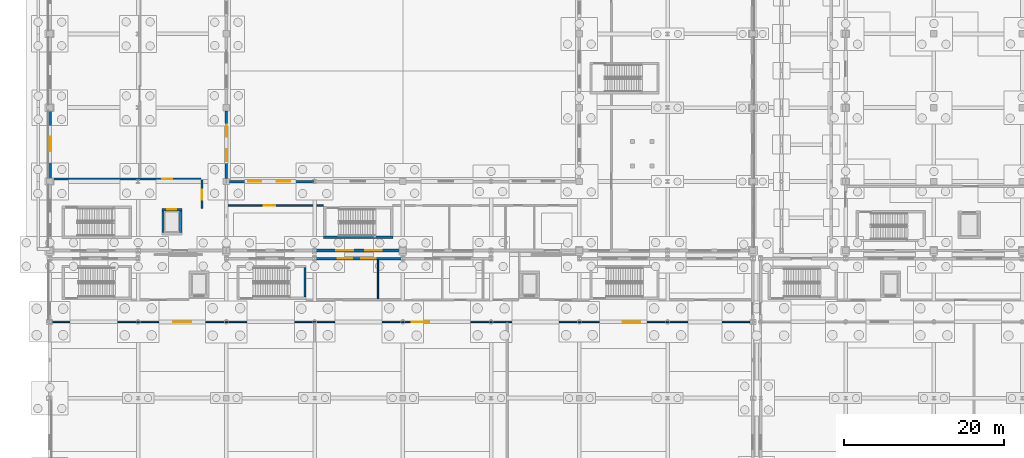
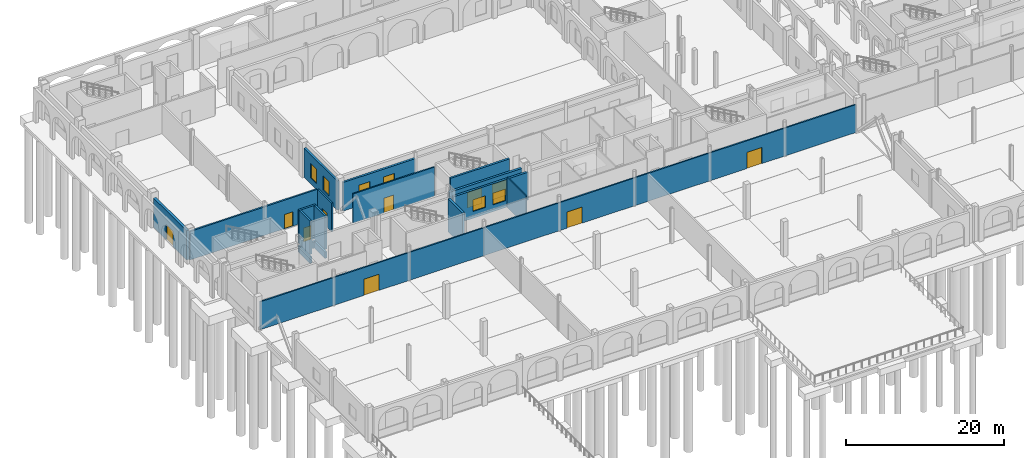
# One storey, part 54 of 83: 18 walls, 8 doors, 8 windows, 16 openings.
"""IFC4 building model written with IfcOpenShell, lengths in metres."""

from ifc_helpers import new_model, si_unit, direction, frame, frame_2d, origin, place, context, subcontext, project, spatial, rectangle, extrude, material, layer, layer_set, type_object, element, fill, save


model = new_model("IFC4")

# Units and contexts
model_context = context("Model", 3, precision=1e-05, world=origin(), true_north=direction((0.0, 1.0)))
body_context = subcontext(model_context, "Body", "Model", "MODEL_VIEW")
ifc_project = project(units=[si_unit("LENGTHUNIT", "METRE"), si_unit("AREAUNIT", "SQUARE_METRE"), si_unit("VOLUMEUNIT", "CUBIC_METRE"), si_unit("PLANEANGLEUNIT", "RADIAN"), si_unit("MASSUNIT", "GRAM", prefix="KILO")], contexts=[model_context])

# Site, building, storey
site_placement = place(None, origin())
site = spatial("IfcSite", under=ifc_project, at=site_placement, CompositionType="ELEMENT")
building_placement = place(site_placement, origin())
building = spatial("IfcBuilding", under=site, at=building_placement, Name="Caurita Quay Ferry Terminal", CompositionType="ELEMENT")
storey_placement = place(building_placement, origin())
storey = spatial("IfcBuildingStorey", under=building, at=storey_placement, Name="L00", CompositionType="ELEMENT", Elevation=0.0)

# Wall, opening, door
ifc_material_1 = material(Name="Warm-white lime stucco masonry", Category="masonry")
ifc_layer_1 = layer(ifc_material_1, 0.239990234375, Name="Interior partitioning wall 240 mm")
ifc_layer_set_1 = layer_set([ifc_layer_1], Name="Warm-white lime stucco masonry")
wall_type_1 = type_object("IfcWallType", Name="WL-COMP-240", PredefinedType="PARTITIONING", material=ifc_layer_set_1)
wall_1_placement = place(storey_placement, frame((0.195068359375, 80.5, 0.0), z_axis=(0.0, 0.0, 1.0), x_axis=(1.0, 0.0, 0.0)))
wall_1 = element("IfcWall", 1, at=wall_1_placement, inside=storey, type_object=wall_type_1, Name="L00 Interior Partition IW-L00-023", PredefinedType="PARTITIONING", context=body_context, shape_type="SweptSolid", body=[
    extrude(rectangle(XDim=18.6298828125, YDim=0.239990234375, at=frame_2d((9.31494140625, 0.0))), origin(), (0.0, 0.0, 1.0), 4.425048828125),
])
opening_1_placement = place(wall_1_placement, frame((13.804931640625, 0.0, 0.0)))
opening_1 = element("IfcOpeningElement", 2, at=opening_1_placement, cuts=wall_1, Name="Opening FD-01", PredefinedType="OPENING", context=body_context, shape_type="SweptSolid", body=[
    extrude(rectangle(XDim=1.25, YDim=2.199951171875, at=frame_2d((0.625, 1.10009765625))), frame((0.0, 0.1298828125, 0.0), z_axis=(0.0, -1.0, 0.0), x_axis=(1.0, 0.0, 0.0)), (0.0, 0.0, 1.0), 0.260009765625),
])
ifc_material_2 = material(Name="Anodized aluminium 6063-T6", Category="aluminium")
door_type_1 = type_object("IfcDoorType", Name="DR-FF-1100", OperationType="NOTDEFINED", PredefinedType="DOOR", material=ifc_material_2)
door_1_placement = place(opening_1_placement, origin())
door_1 = element("IfcDoor", 3, at=door_1_placement, inside=storey, type_object=door_type_1, Name="Firefighting Lobby L00 South Door", OperationType="SINGLE_SWING_LEFT", OverallHeight=2.199951171875, OverallWidth=1.25, PredefinedType="DOOR", context=body_context, shape_type="SweptSolid", body=[
    extrude(rectangle(XDim=1.25, YDim=2.199951171875, at=frame_2d((0.625, 1.10009765625))), frame((0.0, 0.02490234375, 0.0), z_axis=(0.0, -1.0, 0.0), x_axis=(1.0, 0.0, 0.0)), (0.0, 0.0, 1.0), 0.050048828125),
])
fill(opening_1, door_1)

wall_2_placement = place(storey_placement, frame((18.949951171875, 76.85009765625, 0.0), z_axis=(0.0, 0.0, 1.0), x_axis=(0.0, 1.0, 0.0)))
wall_2 = element("IfcWall", 4, at=wall_2_placement, inside=storey, type_object=wall_type_1, Name="L00 Interior Partition IW-L00-026", PredefinedType="PARTITIONING", context=body_context, shape_type="SweptSolid", body=[
    extrude(rectangle(XDim=3.52490234375, YDim=0.239990234375, at=frame_2d((1.762451171875, 0.0))), origin(), (0.0, 0.0, 1.0), 4.425048828125),
])
opening_2_placement = place(wall_2_placement, frame((1.050048828125, 0.0, 0.0)))
opening_2 = element("IfcOpeningElement", 5, at=opening_2_placement, cuts=wall_2, Name="Opening FD-01", PredefinedType="OPENING", context=body_context, shape_type="SweptSolid", body=[
    extrude(rectangle(XDim=1.25, YDim=2.199951171875, at=frame_2d((0.625, 1.10009765625))), frame((0.0, 0.1298828125, 0.0), z_axis=(0.0, -1.0, 0.0), x_axis=(1.0, 0.0, 0.0)), (0.0, 0.0, 1.0), 0.260009765625),
])
door_2_placement = place(opening_2_placement, frame((1.25, 0.0, 0.0), z_axis=(0.0, 0.0, 1.0), x_axis=(-1.0, 0.0, 0.0)))
door_2 = element("IfcDoor", 6, at=door_2_placement, inside=storey, type_object=door_type_1, Name="Firefighting Lobby L00 South East Door", OperationType="SINGLE_SWING_RIGHT", OverallHeight=2.199951171875, OverallWidth=1.25, PredefinedType="DOOR", context=body_context, shape_type="SweptSolid", body=[
    extrude(rectangle(XDim=1.25, YDim=2.199951171875, at=frame_2d((0.625, 1.10009765625))), frame((0.0, 0.02490234375, 0.0), z_axis=(0.0, -1.0, 0.0), x_axis=(1.0, 0.0, 0.0)), (0.0, 0.0, 1.0), 0.050048828125),
])
fill(opening_2, door_2)

# Walls
ifc_material_3 = material(Name="Reinforced concrete C35/45", Category="concrete")
ifc_layer_2 = layer(ifc_material_3, 0.300048828125, Name="Interior shear wall 300 mm")
ifc_layer_set_2 = layer_set([ifc_layer_2], Name="Reinforced concrete C35/45")
wall_type_2 = type_object("IfcWallType", Name="WL-CORE-300", PredefinedType="SHEAR", material=ifc_layer_set_2)
wall_3_placement = place(storey_placement, frame((34.10009765625, 73.25, 0.0), z_axis=(0.0, 0.0, 1.0), x_axis=(1.0, 0.0, 0.0)))
element("IfcWall", 7, at=wall_3_placement, inside=storey, type_object=wall_type_2, Name="L00 ST-03 Core Wall South", PredefinedType="SHEAR", context=body_context, shape_type="SweptSolid", body=[
    extrude(rectangle(XDim=8.64990234375, YDim=0.300048828125, at=frame_2d((4.324951171875, 0.0))), origin(), (0.0, 0.0, 1.0), 5.179931640625),
])
wall_4_placement = place(storey_placement, frame((31.800048828125, 65.800048828125, 0.0), z_axis=(0.0, 0.0, 1.0), x_axis=(0.0, 1.0, 0.0)))
element("IfcWall", 8, at=wall_4_placement, inside=storey, type_object=wall_type_2, Name="L00 ST-06 Core Wall East", PredefinedType="SHEAR", context=body_context, shape_type="SweptSolid", body=[
    extrude(rectangle(XDim=3.659912109375, YDim=0.300048828125, at=frame_2d((1.830078125, 0.0))), origin(), (0.0, 0.0, 1.0), 5.10009765625),
])
wall_5_placement = place(storey_placement, frame((16.445068359375, 76.695068359375, -1.39990234375), z_axis=(0.0, 0.0, 1.0), x_axis=(-1.0, 0.0, 0.0)))
element("IfcWall", 9, at=wall_5_placement, inside=storey, type_object=wall_type_2, Name="Lift LF-02 Pit Wall N", PredefinedType="SHEAR", context=body_context, shape_type="SweptSolid", body=[
    extrude(rectangle(XDim=2.489990234375, YDim=0.300048828125, at=frame_2d((1.2451171875, 0.0))), origin(), (0.0, 0.0, 1.0), 1.0),
])
for number, where, z_axis, x_axis, name in (
    (10, (14.10498046875, 76.544921875, -1.39990234375), (0.0, 0.0, 1.0), (0.0, -1.0, 0.0), "Lift LF-02 Pit Wall W"),
    (11, (16.294921875, 73.85498046875, -1.39990234375), (0.0, 0.0, 1.0), (0.0, 1.0, 0.0), "Lift LF-02 Pit Wall E"),
):
    element("IfcWall", number, at=place(storey_placement, frame(where, z_axis=z_axis, x_axis=x_axis)), inside=storey, type_object=wall_type_2, Name=name, PredefinedType="SHEAR", context=body_context, shape_type="SweptSolid", body=[
        extrude(rectangle(XDim=2.68994140625, YDim=0.300048828125, at=frame_2d((1.344970703125, 0.0))), origin(), (0.0, 0.0, 1.0), 1.0),
    ])

# Wall, opening, door
wall_6_placement = place(storey_placement, frame((16.445068359375, 76.695068359375, 0.0), z_axis=(0.0, 0.0, 1.0), x_axis=(-1.0, 0.0, 0.0)))
wall_6 = element("IfcWall", 12, at=wall_6_placement, inside=storey, type_object=wall_type_2, Name="L00 Lift LF-02 Shaft Wall North", PredefinedType="SHEAR", context=body_context, shape_type="SweptSolid", body=[
    extrude(rectangle(XDim=2.489990234375, YDim=0.300048828125, at=frame_2d((1.2451171875, 0.0))), origin(), (0.0, 0.0, 1.0), 5.179931640625),
])
opening_3_placement = place(wall_6_placement, frame((0.695068359375, 0.0, 0.0)))
opening_3 = element("IfcOpeningElement", 13, at=opening_3_placement, cuts=wall_6, Name="Opening LD-01", PredefinedType="OPENING", context=body_context, shape_type="SweptSolid", body=[
    extrude(rectangle(XDim=1.10009765625, YDim=2.14990234375, at=frame_2d((0.550048828125, 1.074951171875))), frame((0.0, 0.159912109375, 0.0), z_axis=(0.0, -1.0, 0.0), x_axis=(1.0, 0.0, 0.0)), (0.0, 0.0, 1.0), 0.320068359375),
])
ifc_material_4 = material(Name="Bronze architectural metalwork", Category="metal")
door_type_2 = type_object("IfcDoorType", Name="DR-LD-01", OperationType="DOUBLE_DOOR_SLIDING", PredefinedType="DOOR", material=ifc_material_4)
door_3_placement = place(opening_3_placement, frame((1.10009765625, 0.0, 0.0), z_axis=(0.0, 0.0, 1.0), x_axis=(-1.0, 0.0, 0.0)))
door_3 = element("IfcDoor", 14, at=door_3_placement, inside=storey, type_object=door_type_2, Name="L00 Lift LF-02 Sliding Landing Door", OperationType="DOUBLE_DOOR_SLIDING", OverallHeight=2.14990234375, OverallWidth=1.10009765625, PredefinedType="DOOR", context=body_context, shape_type="SweptSolid", body=[
    extrude(rectangle(XDim=1.10009765625, YDim=2.14990234375, at=frame_2d((0.550048828125, 1.074951171875))), frame((0.0, 0.02490234375, 0.0), z_axis=(0.0, -1.0, 0.0), x_axis=(1.0, 0.0, 0.0)), (0.0, 0.0, 1.0), 0.050048828125),
])
fill(opening_3, door_3)

# Walls
for number, where, z_axis, x_axis, name in (
    (15, (14.10498046875, 76.544921875, 0.0), (0.0, 0.0, 1.0), (0.0, -1.0, 0.0), "L00 Lift LF-02 Shaft Wall West"),
    (16, (16.294921875, 73.85498046875, 0.0), (0.0, 0.0, 1.0), (0.0, 1.0, 0.0), "L00 Lift LF-02 Shaft Wall East"),
):
    element("IfcWall", number, at=place(storey_placement, frame(where, z_axis=z_axis, x_axis=x_axis)), inside=storey, type_object=wall_type_2, Name=name, PredefinedType="SHEAR", context=body_context, shape_type="SweptSolid", body=[
        extrude(rectangle(XDim=2.68994140625, YDim=0.300048828125, at=frame_2d((1.344970703125, 0.0))), origin(), (0.0, 0.0, 1.0), 5.179931640625),
    ])

# Wall, openings, doors
ifc_layer_3 = layer(ifc_material_1, 0.199951171875, Name="Interior partitioning wall 200 mm")
ifc_layer_set_3 = layer_set([ifc_layer_3], Name="Warm-white lime stucco masonry")
wall_type_3 = type_object("IfcWallType", Name="WL-CORR-200", PredefinedType="PARTITIONING", material=ifc_layer_set_3)
wall_7_placement = place(storey_placement, frame((0.175048828125, 62.699951171875, 0.0), z_axis=(0.0, 0.0, 1.0), x_axis=(1.0, 0.0, 0.0)))
wall_7 = element("IfcWall", 17, at=wall_7_placement, inside=storey, type_object=wall_type_3, Name="L00 Interior Partition IW-L00-001", PredefinedType="PARTITIONING", context=body_context, shape_type="SweptSolid", body=[
    extrude(rectangle(XDim=87.25, YDim=0.199951171875, at=frame_2d((43.625, 0.0))), origin(), (0.0, 0.0, 1.0), 4.315185546875),
])
opening_4_placement = place(wall_7_placement, frame((15.22509765625, 0.0, 0.0)))
opening_4 = element("IfcOpeningElement", 18, at=opening_4_placement, cuts=wall_7, Name="Opening ID-01", PredefinedType="OPENING", context=body_context, shape_type="SweptSolid", body=[
    extrude(rectangle(XDim=2.199951171875, YDim=2.5, at=frame_2d((1.10009765625, 1.25))), frame((0.0, 0.10986328125, 0.0), z_axis=(0.0, -1.0, 0.0), x_axis=(1.0, 0.0, 0.0)), (0.0, 0.0, 1.0), 0.219970703125),
])
opening_5_placement = place(wall_7_placement, frame((44.925048828125, 0.0, 0.0)))
opening_5 = element("IfcOpeningElement", 19, at=opening_5_placement, cuts=wall_7, Name="Opening ID-01", PredefinedType="OPENING", context=body_context, shape_type="SweptSolid", body=[
    extrude(rectangle(XDim=2.199951171875, YDim=2.5, at=frame_2d((1.10009765625, 1.25))), frame((0.0, 0.10986328125, 0.0), z_axis=(0.0, -1.0, 0.0), x_axis=(1.0, 0.0, 0.0)), (0.0, 0.0, 1.0), 0.219970703125),
])
opening_6_placement = place(wall_7_placement, frame((71.22509765625, 0.0, 0.0)))
opening_6 = element("IfcOpeningElement", 20, at=opening_6_placement, cuts=wall_7, Name="Opening ID-01", PredefinedType="OPENING", context=body_context, shape_type="SweptSolid", body=[
    extrude(rectangle(XDim=2.199951171875, YDim=2.5, at=frame_2d((1.10009765625, 1.25))), frame((0.0, 0.10986328125, 0.0), z_axis=(0.0, -1.0, 0.0), x_axis=(1.0, 0.0, 0.0)), (0.0, 0.0, 1.0), 0.219970703125),
])
door_type_3 = type_object("IfcDoorType", Name="DR-HALL-2200", OperationType="NOTDEFINED", PredefinedType="DOOR", material=ifc_material_2)
door_4_placement = place(opening_4_placement, origin())
door_4 = element("IfcDoor", 21, at=door_4_placement, inside=storey, type_object=door_type_3, Name="Checked Baggage West Corridor Portal", OperationType="SINGLE_SWING_LEFT", OverallHeight=2.5, OverallWidth=2.199951171875, PredefinedType="DOOR", context=body_context, shape_type="SweptSolid", body=[
    extrude(rectangle(XDim=2.199951171875, YDim=2.5, at=frame_2d((1.10009765625, 1.25))), frame((0.0, 0.02490234375, 0.0), z_axis=(0.0, -1.0, 0.0), x_axis=(1.0, 0.0, 0.0)), (0.0, 0.0, 1.0), 0.050048828125),
])
fill(opening_4, door_4)
door_5_placement = place(opening_5_placement, frame((2.199951171875, 0.0, 0.0), z_axis=(0.0, 0.0, 1.0), x_axis=(-1.0, 0.0, 0.0)))
door_5 = element("IfcDoor", 22, at=door_5_placement, inside=storey, type_object=door_type_3, Name="Ticketing Vestibule Corridor Portal", OperationType="SINGLE_SWING_RIGHT", OverallHeight=2.5, OverallWidth=2.199951171875, PredefinedType="DOOR", context=body_context, shape_type="SweptSolid", body=[
    extrude(rectangle(XDim=2.199951171875, YDim=2.5, at=frame_2d((1.10009765625, 1.25))), frame((0.0, 0.02490234375, 0.0), z_axis=(0.0, -1.0, 0.0), x_axis=(1.0, 0.0, 0.0)), (0.0, 0.0, 1.0), 0.050048828125),
])
fill(opening_5, door_5)
door_6_placement = place(opening_6_placement, origin())
door_6 = element("IfcDoor", 23, at=door_6_placement, inside=storey, type_object=door_type_3, Name="Checked Baggage East Corridor Portal", OperationType="SINGLE_SWING_LEFT", OverallHeight=2.5, OverallWidth=2.199951171875, PredefinedType="DOOR", context=body_context, shape_type="SweptSolid", body=[
    extrude(rectangle(XDim=2.199951171875, YDim=2.5, at=frame_2d((1.10009765625, 1.25))), frame((0.0, 0.02490234375, 0.0), z_axis=(0.0, -1.0, 0.0), x_axis=(1.0, 0.0, 0.0)), (0.0, 0.0, 1.0), 0.050048828125),
])
fill(opening_6, door_6)

# Wall, opening, door
wall_8_placement = place(storey_placement, frame((22.159912109375, 77.199951171875, 0.0), z_axis=(0.0, 0.0, 1.0), x_axis=(1.0, 0.0, 0.0)))
wall_8 = element("IfcWall", 24, at=wall_8_placement, inside=storey, type_object=wall_type_3, Name="L00 Interior Partition IW-L00-032", PredefinedType="PARTITIONING", context=body_context, shape_type="SweptSolid", body=[
    extrude(rectangle(XDim=11.93017578125, YDim=0.199951171875, at=frame_2d((5.965087890625, 0.0))), origin(), (0.0, 0.0, 1.0), 4.52490234375),
])
opening_7_placement = place(wall_8_placement, frame((4.5, 0.0, 0.0)))
opening_7 = element("IfcOpeningElement", 25, at=opening_7_placement, cuts=wall_8, Name="Opening ID-09", PredefinedType="OPENING", context=body_context, shape_type="SweptSolid", body=[
    extrude(rectangle(XDim=1.449951171875, YDim=2.300048828125, at=frame_2d((0.72509765625, 1.14990234375))), frame((0.0, 0.10986328125, 0.0), z_axis=(0.0, -1.0, 0.0), x_axis=(1.0, 0.0, 0.0)), (0.0, 0.0, 1.0), 0.219970703125),
])
door_type_4 = type_object("IfcDoorType", Name="DR-STR-1450", OperationType="NOTDEFINED", PredefinedType="DOOR", material=ifc_material_2)
door_7_placement = place(opening_7_placement, frame((1.449951171875, 0.0, 0.0), z_axis=(0.0, 0.0, 1.0), x_axis=(-1.0, 0.0, 0.0)))
door_7 = element("IfcDoor", 26, at=door_7_placement, inside=storey, type_object=door_type_4, Name="Customs Manifest Archive Door", OperationType="SINGLE_SWING_RIGHT", OverallHeight=2.300048828125, OverallWidth=1.449951171875, PredefinedType="DOOR", context=body_context, shape_type="SweptSolid", body=[
    extrude(rectangle(XDim=1.449951171875, YDim=2.300048828125, at=frame_2d((0.72509765625, 1.14990234375))), frame((0.0, 0.02490234375, 0.0), z_axis=(0.0, -1.0, 0.0), x_axis=(1.0, 0.0, 0.0)), (0.0, 0.0, 1.0), 0.050048828125),
])
fill(opening_7, door_7)

# Wall, openings, windows
ifc_layer_4 = layer(ifc_material_1, 0.31005859375, Name="Exterior solidwall wall 310 mm")
ifc_layer_set_4 = layer_set([ifc_layer_4], Name="Warm-white lime stucco masonry")
wall_type_4 = type_object("IfcWallType", Name="WL-EXT-310", PredefinedType="SOLIDWALL", material=ifc_layer_set_4)
wall_9_placement = place(storey_placement, frame((22.39794921875, 80.199951171875, 0.0), z_axis=(0.0, 0.0, 1.0), x_axis=(1.0, 0.0, 0.0)))
wall_9 = element("IfcWall", 27, at=wall_9_placement, inside=storey, type_object=wall_type_4, Name="L00 Exterior Wall EW-L00-106", PredefinedType="SOLIDWALL", context=body_context, shape_type="SweptSolid", body=[
    extrude(rectangle(XDim=10.586181640625, YDim=0.31005859375, at=frame_2d((5.29296875, 0.0))), origin(), (0.0, 0.0, 1.0), 4.425048828125),
])
opening_8_placement = place(wall_9_placement, frame((2.302001953125, 0.0, 0.949951171875)))
opening_8 = element("IfcOpeningElement", 28, at=opening_8_placement, cuts=wall_9, Name="Opening W-08", PredefinedType="OPENING", context=body_context, shape_type="SweptSolid", body=[
    extrude(rectangle(XDim=1.64990234375, YDim=2.25, at=frame_2d((0.824951171875, 1.125))), frame((0.0, 0.1650390625, 0.0), z_axis=(0.0, -1.0, 0.0), x_axis=(1.0, 0.0, 0.0)), (0.0, 0.0, 1.0), 0.330078125),
])
opening_9_placement = place(wall_9_placement, frame((5.902099609375, 0.0, 0.949951171875)))
opening_9 = element("IfcOpeningElement", 29, at=opening_9_placement, cuts=wall_9, Name="Opening W-08", PredefinedType="OPENING", context=body_context, shape_type="SweptSolid", body=[
    extrude(rectangle(XDim=1.64990234375, YDim=2.25, at=frame_2d((0.824951171875, 1.125))), frame((0.0, 0.1650390625, 0.0), z_axis=(0.0, -1.0, 0.0), x_axis=(1.0, 0.0, 0.0)), (0.0, 0.0, 1.0), 0.330078125),
])
ifc_material_5 = material(Name="Laminated solar-control insulated glass", Category="glass")
window_type_1 = type_object("IfcWindowType", Name="WIN-SC-16522", PartitioningType="SINGLE_PANEL", PredefinedType="WINDOW", material=ifc_material_5)
window_1_placement = place(opening_8_placement, origin())
window_1 = element("IfcWindow", 30, at=window_1_placement, inside=storey, type_object=window_type_1, Name="L00 Casement Window WN-L00-159", OverallHeight=2.25, OverallWidth=1.64990234375, PartitioningType="SINGLE_PANEL", PredefinedType="WINDOW", context=body_context, shape_type="SweptSolid", body=[
    extrude(rectangle(XDim=1.64990234375, YDim=2.25, at=frame_2d((0.824951171875, 1.125))), frame((0.0, 0.030029296875, 0.0), z_axis=(0.0, -1.0, 0.0), x_axis=(1.0, 0.0, 0.0)), (0.0, 0.0, 1.0), 0.06005859375),
])
fill(opening_8, window_1)
window_2_placement = place(opening_9_placement, origin())
window_2 = element("IfcWindow", 31, at=window_2_placement, inside=storey, type_object=window_type_1, Name="L00 Casement Window WN-L00-160", OverallHeight=2.25, OverallWidth=1.64990234375, PartitioningType="SINGLE_PANEL", PredefinedType="WINDOW", context=body_context, shape_type="SweptSolid", body=[
    extrude(rectangle(XDim=1.64990234375, YDim=2.25, at=frame_2d((0.824951171875, 1.125))), frame((0.0, 0.030029296875, 0.0), z_axis=(0.0, -1.0, 0.0), x_axis=(1.0, 0.0, 0.0)), (0.0, 0.0, 1.0), 0.06005859375),
])
fill(opening_9, window_2)

wall_10_placement = place(storey_placement, frame((22.0, 80.597900390625, 0.0), z_axis=(0.0, 0.0, 1.0), x_axis=(0.0, 1.0, 0.0)))
wall_10 = element("IfcWall", 32, at=wall_10_placement, inside=storey, type_object=wall_type_4, Name="L00 Exterior Wall EW-L00-122", PredefinedType="SOLIDWALL", context=body_context, shape_type="SweptSolid", body=[
    extrude(rectangle(XDim=8.404052734375, YDim=0.31005859375, at=frame_2d((4.2021484375, 0.0))), origin(), (0.0, 0.0, 1.0), 4.52490234375),
])
opening_10_placement = place(wall_10_placement, frame((2.10205078125, 0.0, 0.949951171875)))
opening_10 = element("IfcOpeningElement", 33, at=opening_10_placement, cuts=wall_10, Name="Opening W-07", PredefinedType="OPENING", context=body_context, shape_type="SweptSolid", body=[
    extrude(rectangle(XDim=1.5, YDim=2.25, at=frame_2d((0.75, 1.125))), frame((0.0, 0.1650390625, 0.0), z_axis=(0.0, -1.0, 0.0), x_axis=(1.0, 0.0, 0.0)), (0.0, 0.0, 1.0), 0.330078125),
])
opening_11_placement = place(wall_10_placement, frame((5.201904296875, 0.0, 0.949951171875)))
opening_11 = element("IfcOpeningElement", 34, at=opening_11_placement, cuts=wall_10, Name="Opening W-07", PredefinedType="OPENING", context=body_context, shape_type="SweptSolid", body=[
    extrude(rectangle(XDim=1.5, YDim=2.25, at=frame_2d((0.75, 1.125))), frame((0.0, 0.1650390625, 0.0), z_axis=(0.0, -1.0, 0.0), x_axis=(1.0, 0.0, 0.0)), (0.0, 0.0, 1.0), 0.330078125),
])
window_type_2 = type_object("IfcWindowType", Name="WIN-SC-1522", PartitioningType="SINGLE_PANEL", PredefinedType="WINDOW", material=ifc_material_5)
window_3_placement = place(opening_10_placement, origin())
window_3 = element("IfcWindow", 35, at=window_3_placement, inside=storey, type_object=window_type_2, Name="L00 Casement Window WN-L00-183", OverallHeight=2.25, OverallWidth=1.5, PartitioningType="SINGLE_PANEL", PredefinedType="WINDOW", context=body_context, shape_type="SweptSolid", body=[
    extrude(rectangle(XDim=1.5, YDim=2.25, at=frame_2d((0.75, 1.125))), frame((0.0, 0.030029296875, 0.0), z_axis=(0.0, -1.0, 0.0), x_axis=(1.0, 0.0, 0.0)), (0.0, 0.0, 1.0), 0.06005859375),
])
fill(opening_10, window_3)
window_4_placement = place(opening_11_placement, origin())
window_4 = element("IfcWindow", 36, at=window_4_placement, inside=storey, type_object=window_type_2, Name="L00 Casement Window WN-L00-184", OverallHeight=2.25, OverallWidth=1.5, PartitioningType="SINGLE_PANEL", PredefinedType="WINDOW", context=body_context, shape_type="SweptSolid", body=[
    extrude(rectangle(XDim=1.5, YDim=2.25, at=frame_2d((0.75, 1.125))), frame((0.0, 0.030029296875, 0.0), z_axis=(0.0, -1.0, 0.0), x_axis=(1.0, 0.0, 0.0)), (0.0, 0.0, 1.0), 0.06005859375),
])
fill(opening_11, window_4)

wall_11_placement = place(storey_placement, frame((43.99072265625, 70.60009765625, 0.0), z_axis=(0.0, 0.0, 1.0), x_axis=(-1.0, 0.0, 0.0)))
wall_11 = element("IfcWall", 37, at=wall_11_placement, inside=storey, type_object=wall_type_4, Name="L00 Exterior Wall EW-L00-172", PredefinedType="SOLIDWALL", context=body_context, shape_type="SweptSolid", body=[
    extrude(rectangle(XDim=10.9814453125, YDim=0.31005859375, at=frame_2d((5.49072265625, 0.0))), origin(), (0.0, 0.0, 1.0), 4.315185546875),
])
opening_12_placement = place(wall_11_placement, frame((3.37109375, 0.0, 1.050048828125)))
opening_12 = element("IfcOpeningElement", 38, at=opening_12_placement, cuts=wall_11, Name="Opening W-09", PredefinedType="OPENING", context=body_context, shape_type="SweptSolid", body=[
    extrude(rectangle(XDim=1.800048828125, YDim=1.800048828125, at=frame_2d((0.89990234375, 0.89990234375))), frame((0.0, 0.1650390625, 0.0), z_axis=(0.0, -1.0, 0.0), x_axis=(1.0, 0.0, 0.0)), (0.0, 0.0, 1.0), 0.330078125),
])
opening_13_placement = place(wall_11_placement, frame((6.290771484375, 0.0, 1.050048828125)))
opening_13 = element("IfcOpeningElement", 39, at=opening_13_placement, cuts=wall_11, Name="Opening W-09", PredefinedType="OPENING", context=body_context, shape_type="SweptSolid", body=[
    extrude(rectangle(XDim=1.800048828125, YDim=1.800048828125, at=frame_2d((0.89990234375, 0.89990234375))), frame((0.0, 0.1650390625, 0.0), z_axis=(0.0, -1.0, 0.0), x_axis=(1.0, 0.0, 0.0)), (0.0, 0.0, 1.0), 0.330078125),
])
window_type_3 = type_object("IfcWindowType", Name="WIN-SC-1818", PartitioningType="SINGLE_PANEL", PredefinedType="WINDOW", material=ifc_material_5)
window_5_placement = place(opening_12_placement, origin())
window_5 = element("IfcWindow", 40, at=window_5_placement, inside=storey, type_object=window_type_3, Name="L00 Casement Window WN-L00-255", OverallHeight=1.800048828125, OverallWidth=1.800048828125, PartitioningType="SINGLE_PANEL", PredefinedType="WINDOW", context=body_context, shape_type="SweptSolid", body=[
    extrude(rectangle(XDim=1.800048828125, YDim=1.800048828125, at=frame_2d((0.89990234375, 0.89990234375))), frame((0.0, 0.030029296875, 0.0), z_axis=(0.0, -1.0, 0.0), x_axis=(1.0, 0.0, 0.0)), (0.0, 0.0, 1.0), 0.06005859375),
])
fill(opening_12, window_5)
window_6_placement = place(opening_13_placement, origin())
window_6 = element("IfcWindow", 41, at=window_6_placement, inside=storey, type_object=window_type_3, Name="L00 Casement Window WN-L00-256", OverallHeight=1.800048828125, OverallWidth=1.800048828125, PartitioningType="SINGLE_PANEL", PredefinedType="WINDOW", context=body_context, shape_type="SweptSolid", body=[
    extrude(rectangle(XDim=1.800048828125, YDim=1.800048828125, at=frame_2d((0.89990234375, 0.89990234375))), frame((0.0, 0.030029296875, 0.0), z_axis=(0.0, -1.0, 0.0), x_axis=(1.0, 0.0, 0.0)), (0.0, 0.0, 1.0), 0.06005859375),
])
fill(opening_13, window_6)

ifc_layer_5 = layer(ifc_material_1, 0.340087890625, Name="Exterior solidwall wall 340 mm")
ifc_layer_set_5 = layer_set([ifc_layer_5], Name="Warm-white lime stucco masonry")
wall_type_5 = type_object("IfcWallType", Name="WL-EXT-340", PredefinedType="SOLIDWALL", material=ifc_layer_set_5)
wall_12_placement = place(storey_placement, frame((33.015869140625, 71.60009765625, 0.0), z_axis=(0.0, 0.0, 1.0), x_axis=(1.0, 0.0, 0.0)))
wall_12 = element("IfcWall", 42, at=wall_12_placement, inside=storey, type_object=wall_type_5, Name="L00 Exterior Wall EW-L00-056", PredefinedType="SOLIDWALL", context=body_context, shape_type="SweptSolid", body=[
    extrude(rectangle(XDim=10.586181640625, YDim=0.340087890625, at=frame_2d((5.29296875, 0.0))), origin(), (0.0, 0.0, 1.0), 4.425048828125),
])
opening_14_placement = place(wall_12_placement, frame((2.68408203125, 0.0, 0.949951171875)))
opening_14 = element("IfcOpeningElement", 43, at=opening_14_placement, cuts=wall_12, Name="Opening W-12", PredefinedType="OPENING", context=body_context, shape_type="SweptSolid", body=[
    extrude(rectangle(XDim=2.10009765625, YDim=2.39990234375, at=frame_2d((1.050048828125, 1.199951171875))), frame((0.0, 0.179931640625, 0.0), z_axis=(0.0, -1.0, 0.0), x_axis=(1.0, 0.0, 0.0)), (0.0, 0.0, 1.0), 0.360107421875),
])
opening_15_placement = place(wall_12_placement, frame((6.2841796875, 0.0, 0.949951171875)))
opening_15 = element("IfcOpeningElement", 44, at=opening_15_placement, cuts=wall_12, Name="Opening W-12", PredefinedType="OPENING", context=body_context, shape_type="SweptSolid", body=[
    extrude(rectangle(XDim=2.10009765625, YDim=2.39990234375, at=frame_2d((1.050048828125, 1.199951171875))), frame((0.0, 0.179931640625, 0.0), z_axis=(0.0, -1.0, 0.0), x_axis=(1.0, 0.0, 0.0)), (0.0, 0.0, 1.0), 0.360107421875),
])
window_type_4 = type_object("IfcWindowType", Name="WIN-SC-2124", PartitioningType="SINGLE_PANEL", PredefinedType="WINDOW", material=ifc_material_5)
window_7_placement = place(opening_14_placement, origin())
window_7 = element("IfcWindow", 45, at=window_7_placement, inside=storey, type_object=window_type_4, Name="L00 Casement Window WN-L00-083", OverallHeight=2.39990234375, OverallWidth=2.10009765625, PartitioningType="SINGLE_PANEL", PredefinedType="WINDOW", context=body_context, shape_type="SweptSolid", body=[
    extrude(rectangle(XDim=2.10009765625, YDim=2.39990234375, at=frame_2d((1.050048828125, 1.199951171875))), frame((0.0, 0.030029296875, 0.0), z_axis=(0.0, -1.0, 0.0), x_axis=(1.0, 0.0, 0.0)), (0.0, 0.0, 1.0), 0.06005859375),
])
fill(opening_14, window_7)
window_8_placement = place(opening_15_placement, origin())
window_8 = element("IfcWindow", 46, at=window_8_placement, inside=storey, type_object=window_type_4, Name="L00 Casement Window WN-L00-084", OverallHeight=2.39990234375, OverallWidth=2.10009765625, PartitioningType="SINGLE_PANEL", PredefinedType="WINDOW", context=body_context, shape_type="SweptSolid", body=[
    extrude(rectangle(XDim=2.10009765625, YDim=2.39990234375, at=frame_2d((1.050048828125, 1.199951171875))), frame((0.0, 0.030029296875, 0.0), z_axis=(0.0, -1.0, 0.0), x_axis=(1.0, 0.0, 0.0)), (0.0, 0.0, 1.0), 0.06005859375),
])
fill(opening_15, window_8)

# Wall, opening, door
ifc_material_6 = material(Name="Coral stone ashlar cladding", Category="masonry")
ifc_layer_6 = layer(ifc_material_6, 0.3798828125, Name="Exterior solidwall wall 380 mm")
ifc_layer_set_6 = layer_set([ifc_layer_6], Name="Coral stone ashlar cladding")
wall_type_6 = type_object("IfcWallType", Name="WL-EXT-380", PredefinedType="SOLIDWALL", material=ifc_layer_set_6)
wall_13_placement = place(storey_placement, frame((0.0, 89.001953125, 0.0), z_axis=(0.0, 0.0, 1.0), x_axis=(0.0, -1.0, 0.0)))
wall_13 = element("IfcWall", 47, at=wall_13_placement, inside=storey, type_object=wall_type_6, Name="L00 Exterior Wall EW-L00-033", PredefinedType="SOLIDWALL", context=body_context, shape_type="SweptSolid", body=[
    extrude(rectangle(XDim=8.404052734375, YDim=0.3798828125, at=frame_2d((4.2021484375, 0.0))), origin(), (0.0, 0.0, 1.0), 4.52490234375),
])
opening_16_placement = place(wall_13_placement, frame((3.201904296875, 0.0, 0.0)))
opening_16 = element("IfcOpeningElement", 48, at=opening_16_placement, cuts=wall_13, Name="Opening ED-03", PredefinedType="OPENING", context=body_context, shape_type="SweptSolid", body=[
    extrude(rectangle(XDim=1.800048828125, YDim=2.39990234375, at=frame_2d((0.89990234375, 1.199951171875))), frame((0.0, 0.199951171875, 0.0), z_axis=(0.0, -1.0, 0.0), x_axis=(1.0, 0.0, 0.0)), (0.0, 0.0, 1.0), 0.39990234375),
])
door_type_5 = type_object("IfcDoorType", Name="DR-EXT-1824", OperationType="NOTDEFINED", PredefinedType="DOOR", material=ifc_material_2)
door_8_placement = place(opening_16_placement, frame((1.800048828125, 0.0, 0.0), z_axis=(0.0, 0.0, 1.0), x_axis=(-1.0, 0.0, 0.0)))
door_8 = element("IfcDoor", 49, at=door_8_placement, inside=storey, type_object=door_type_5, Name="West Quay Exit Door ED-W2", OperationType="SINGLE_SWING_LEFT", OverallHeight=2.39990234375, OverallWidth=1.800048828125, PredefinedType="DOOR", context=body_context, shape_type="SweptSolid", body=[
    extrude(rectangle(XDim=1.800048828125, YDim=2.39990234375, at=frame_2d((0.89990234375, 1.199951171875))), frame((0.0, 0.02490234375, 0.0), z_axis=(0.0, -1.0, 0.0), x_axis=(1.0, 0.0, 0.0)), (0.0, 0.0, 1.0), 0.050048828125),
])
fill(opening_16, door_8)

# Wall
ifc_material_7 = material(Name="Gypsum board partition", Category="masonry")
ifc_layer_7 = layer(ifc_material_7, 0.159912109375, Name="Interior partitioning wall 160 mm")
ifc_layer_set_7 = layer_set([ifc_layer_7], Name="Gypsum board partition")
wall_type_7 = type_object("IfcWallType", Name="WL-PART-160", PredefinedType="PARTITIONING", material=ifc_layer_set_7)
wall_14_placement = place(storey_placement, frame((40.89990234375, 65.554931640625, 0.0), z_axis=(0.0, 0.0, 1.0), x_axis=(0.0, 1.0, 0.0)))
element("IfcWall", 50, at=wall_14_placement, inside=storey, type_object=wall_type_7, Name="L00 Interior Partition IW-L00-006", PredefinedType="PARTITIONING", context=body_context, shape_type="SweptSolid", body=[
    extrude(rectangle(XDim=4.885009765625, YDim=0.159912109375, at=frame_2d((2.4423828125, 0.0))), origin(), (0.0, 0.0, 1.0), 4.6376953125),
])

save(model, "model.ifc")
